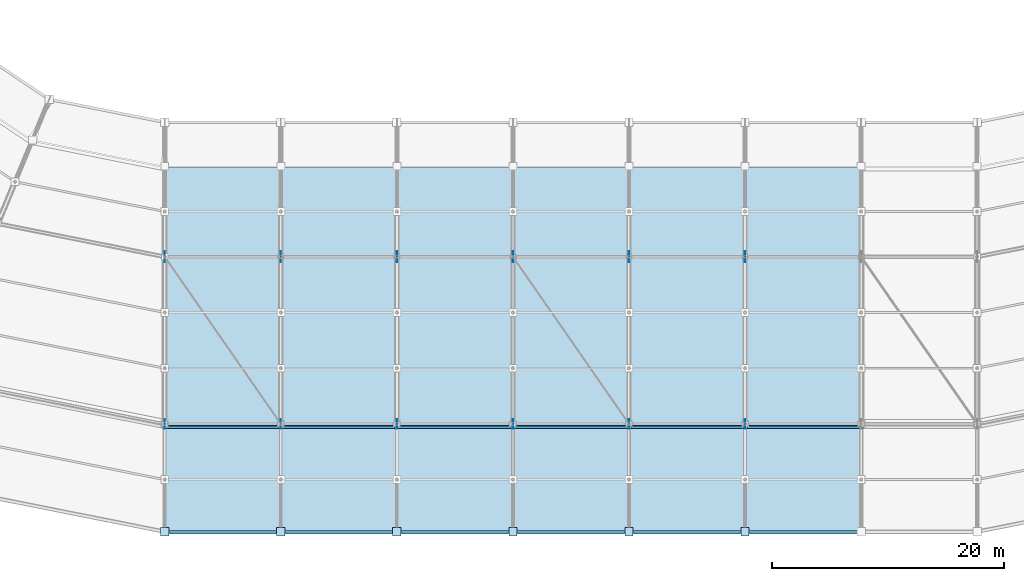
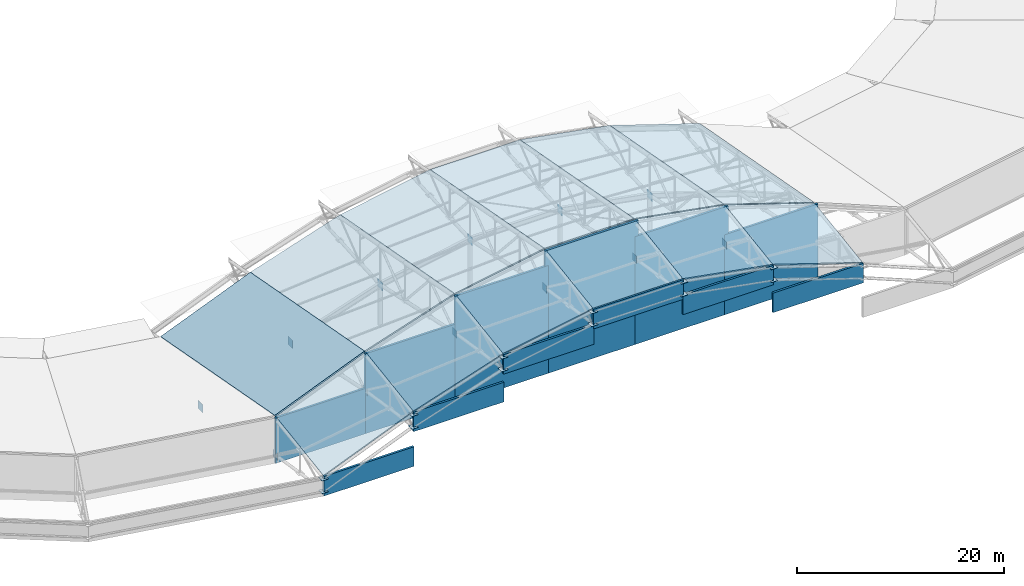
# One storey, part 106 of 146: 36 plates, 12 slabs.
"""IFC4 building model written with IfcOpenShell, lengths in metres."""

from ifc_helpers import new_model, si_unit, direction, frame, origin, origin_2d, place, context, subcontext, project, spatial, polyline, rectangle, outline, extrude, material, layer, layer_set, type_object, element, save


model = new_model("IFC4")

# Units and contexts
model_context = context("Model", 3, precision=1e-05, world=origin(), true_north=direction((0.0, 1.0)))
body_context = subcontext(model_context, "Body", "Model", "MODEL_VIEW")
ifc_project = project(units=[si_unit("LENGTHUNIT", "METRE"), si_unit("AREAUNIT", "SQUARE_METRE"), si_unit("VOLUMEUNIT", "CUBIC_METRE"), si_unit("PLANEANGLEUNIT", "RADIAN"), si_unit("MASSUNIT", "GRAM", prefix="KILO")], contexts=[model_context])

# Site, building, storey
site_placement = place(None, origin())
site = spatial("IfcSite", under=ifc_project, at=site_placement, CompositionType="ELEMENT")
building_placement = place(site_placement, origin())
building = spatial("IfcBuilding", under=site, at=building_placement, Name="Candeia Ridge Stadium", CompositionType="ELEMENT")
storey_placement = place(building_placement, frame((0.0, 0.0, 31.800048828125)))
storey = spatial("IfcBuildingStorey", under=building, at=storey_placement, Name="RF", CompositionType="ELEMENT", Elevation=31.800048828125)

# Plates
ifc_material_1 = material(Name="Aluminium Anodized Warm Bronze", Category="aluminium")
ifc_layer_1 = layer(ifc_material_1, 0.239990234375, Name="Aluminium Anodized Warm Bronze", Category="aluminium")
ifc_layer_set_1 = layer_set([ifc_layer_1], Name="Aluminium Anodized Warm Bronze")
plate_type_1 = type_object("IfcPlateType", Name="Crown Perforated Bronze Acoustic Screen", PredefinedType="SHEET", material=ifc_layer_set_1)
plate_1_placement = place(storey_placement, frame((76.0, 18.719970703125, -0.3251953125), z_axis=(0.0, 0.0, 1.0), x_axis=(1.0, 0.0, 0.0)))
element("IfcPlate", 1, at=plate_1_placement, inside=storey, type_object=plate_type_1, Name="Crown perforated bronze acoustic screen RF bay 19", PredefinedType="SHEET", context=body_context, shape_type="SweptSolid", body=[
    extrude(rectangle(XDim=10.39990234375, YDim=0.239990234375, at=origin_2d()), origin(), (0.0, 0.0, 1.0), 5.330078125),
])
plate_2_placement = place(storey_placement, frame((76.0, 9.699951171875, 1.25), z_axis=(0.0, 0.0, 1.0), x_axis=(1.0, 0.0, 0.0)))
element("IfcPlate", 2, at=plate_2_placement, inside=storey, type_object=plate_type_1, Name="Saddle roof outer eaves warm-bronze fascia bay 19", PredefinedType="SHEET", context=body_context, shape_type="SweptSolid", body=[
    extrude(rectangle(XDim=10.06005859375, YDim=0.239990234375, at=origin_2d()), origin(), (0.0, 0.0, 1.0), 2.300048828125),
])
plate_3_placement = place(storey_placement, frame((86.0, 18.719970703125, -0.3251953125), z_axis=(0.0, 0.0, 1.0), x_axis=(1.0, 0.0, 0.0)))
element("IfcPlate", 3, at=plate_3_placement, inside=storey, type_object=plate_type_1, Name="Crown perforated bronze acoustic screen RF bay 20", PredefinedType="SHEET", context=body_context, shape_type="SweptSolid", body=[
    extrude(rectangle(XDim=10.39990234375, YDim=0.239990234375, at=origin_2d()), origin(), (0.0, 0.0, 1.0), 9.408447265625),
])
plate_4_placement = place(storey_placement, frame((86.0, 9.699951171875, 5.32861328125), z_axis=(0.0, 0.0, 1.0), x_axis=(1.0, 0.0, 0.0)))
element("IfcPlate", 4, at=plate_4_placement, inside=storey, type_object=plate_type_1, Name="Saddle roof outer eaves warm-bronze fascia bay 20", PredefinedType="SHEET", context=body_context, shape_type="SweptSolid", body=[
    extrude(rectangle(XDim=10.06005859375, YDim=0.239990234375, at=origin_2d()), origin(), (0.0, 0.0, 1.0), 2.300048828125),
])
plate_5_placement = place(storey_placement, frame((96.0, 18.719970703125, -0.324951171875), z_axis=(0.0, 0.0, 1.0), x_axis=(1.0, 0.0, 0.0)))
element("IfcPlate", 5, at=plate_5_placement, inside=storey, type_object=plate_type_1, Name="Crown perforated bronze acoustic screen RF bay 21", PredefinedType="SHEET", context=body_context, shape_type="SweptSolid", body=[
    extrude(rectangle(XDim=10.39990234375, YDim=0.239990234375, at=origin_2d()), origin(), (0.0, 0.0, 1.0), 12.67919921875),
])
plate_6_placement = place(storey_placement, frame((96.0, 9.699951171875, 8.59912109375), z_axis=(0.0, 0.0, 1.0), x_axis=(1.0, 0.0, 0.0)))
element("IfcPlate", 6, at=plate_6_placement, inside=storey, type_object=plate_type_1, Name="Saddle roof outer eaves warm-bronze fascia bay 21", PredefinedType="SHEET", context=body_context, shape_type="SweptSolid", body=[
    extrude(rectangle(XDim=10.06005859375, YDim=0.239990234375, at=origin_2d()), origin(), (0.0, 0.0, 1.0), 2.300048828125),
])
plate_7_placement = place(storey_placement, frame((106.0, 18.719970703125, -0.3251953125), z_axis=(0.0, 0.0, 1.0), x_axis=(1.0, 0.0, 0.0)))
element("IfcPlate", 7, at=plate_7_placement, inside=storey, type_object=plate_type_1, Name="Crown perforated bronze acoustic screen RF bay 22", PredefinedType="SHEET", context=body_context, shape_type="SweptSolid", body=[
    extrude(rectangle(XDim=10.39990234375, YDim=0.239990234375, at=origin_2d()), origin(), (0.0, 0.0, 1.0), 14.494384765625),
])
plate_8_placement = place(storey_placement, frame((106.0, 9.699951171875, 10.4140625), z_axis=(0.0, 0.0, 1.0), x_axis=(1.0, 0.0, 0.0)))
element("IfcPlate", 8, at=plate_8_placement, inside=storey, type_object=plate_type_1, Name="Saddle roof outer eaves warm-bronze fascia bay 22", PredefinedType="SHEET", context=body_context, shape_type="SweptSolid", body=[
    extrude(rectangle(XDim=10.06005859375, YDim=0.239990234375, at=origin_2d()), origin(), (0.0, 0.0, 1.0), 2.300048828125),
])
plate_9_placement = place(storey_placement, frame((116.0, 18.719970703125, -0.324951171875), z_axis=(0.0, 0.0, 1.0), x_axis=(1.0, 0.0, 0.0)))
element("IfcPlate", 9, at=plate_9_placement, inside=storey, type_object=plate_type_1, Name="Crown perforated bronze acoustic screen RF bay 23", PredefinedType="SHEET", context=body_context, shape_type="SweptSolid", body=[
    extrude(rectangle(XDim=10.39990234375, YDim=0.239990234375, at=origin_2d()), origin(), (0.0, 0.0, 1.0), 12.67919921875),
])
plate_10_placement = place(storey_placement, frame((116.0, 9.699951171875, 8.59912109375), z_axis=(0.0, 0.0, 1.0), x_axis=(1.0, 0.0, 0.0)))
element("IfcPlate", 10, at=plate_10_placement, inside=storey, type_object=plate_type_1, Name="Saddle roof outer eaves warm-bronze fascia bay 23", PredefinedType="SHEET", context=body_context, shape_type="SweptSolid", body=[
    extrude(rectangle(XDim=10.06005859375, YDim=0.239990234375, at=origin_2d()), origin(), (0.0, 0.0, 1.0), 2.300048828125),
])
plate_11_placement = place(storey_placement, frame((126.0, 18.719970703125, -0.3251953125), z_axis=(0.0, 0.0, 1.0), x_axis=(1.0, 0.0, 0.0)))
element("IfcPlate", 11, at=plate_11_placement, inside=storey, type_object=plate_type_1, Name="Crown perforated bronze acoustic screen RF bay 24", PredefinedType="SHEET", context=body_context, shape_type="SweptSolid", body=[
    extrude(rectangle(XDim=10.39990234375, YDim=0.239990234375, at=origin_2d()), origin(), (0.0, 0.0, 1.0), 9.408447265625),
])
plate_12_placement = place(storey_placement, frame((126.0, 9.699951171875, 5.32861328125), z_axis=(0.0, 0.0, 1.0), x_axis=(1.0, 0.0, 0.0)))
element("IfcPlate", 12, at=plate_12_placement, inside=storey, type_object=plate_type_1, Name="Saddle roof outer eaves warm-bronze fascia bay 24", PredefinedType="SHEET", context=body_context, shape_type="SweptSolid", body=[
    extrude(rectangle(XDim=10.06005859375, YDim=0.239990234375, at=origin_2d()), origin(), (0.0, 0.0, 1.0), 2.300048828125),
])
ifc_material_2 = material(Name="Steel ASTM A572 Grade 50", Category="steel")
ifc_layer_2 = layer(ifc_material_2, 0.02490234375, Name="Steel ASTM A572 Grade 50", Category="steel")
ifc_layer_set_2 = layer_set([ifc_layer_2], Name="Steel ASTM A572 Grade 50")
plate_type_2 = type_object("IfcPlateType", Name="Hollow Section End Closure Plate CP2", PredefinedType="SHEET", material=ifc_layer_set_2)
for number, where, z_axis, x_axis, name in (
    (13, (71.0, 9.699951171875, 3.2685546875), (0.0, 0.0, 1.0), (1.0, 0.0, 0.0), "Hollow section end closure plate TCAP-EAVE-18"),
    (14, (71.0, 9.699951171875, 1.7685546875), (0.0, 0.0, 1.0), (1.0, 0.0, 0.0), "Hollow section end closure plate BCAP-EAVE-18"),
    (15, (81.0, 9.699951171875, 7.346923828125), (0.0, 0.0, 1.0), (1.0, 0.0, 0.0), "Hollow section end closure plate TCAP-EAVE-19"),
    (16, (81.0, 9.699951171875, 5.846923828125), (0.0, 0.0, 1.0), (1.0, 0.0, 0.0), "Hollow section end closure plate BCAP-EAVE-19"),
    (17, (91.0, 9.699951171875, 10.61767578125), (0.0, 0.0, 1.0), (1.0, 0.0, 0.0), "Hollow section end closure plate TCAP-EAVE-20"),
    (18, (91.0, 9.699951171875, 9.11767578125), (0.0, 0.0, 1.0), (1.0, 0.0, 0.0), "Hollow section end closure plate BCAP-EAVE-20"),
    (19, (101.0, 9.699951171875, 12.432861328125), (0.0, 0.0, 1.0), (1.0, 0.0, 0.0), "Hollow section end closure plate TCAP-EAVE-21"),
    (20, (101.0, 9.699951171875, 10.932861328125), (0.0, 0.0, 1.0), (1.0, 0.0, 0.0), "Hollow section end closure plate BCAP-EAVE-21"),
    (21, (111.0, 9.699951171875, 12.432861328125), (0.0, 0.0, 1.0), (1.0, 0.0, 0.0), "Hollow section end closure plate TCAP-EAVE-22"),
    (22, (111.0, 9.699951171875, 10.932861328125), (0.0, 0.0, 1.0), (1.0, 0.0, 0.0), "Hollow section end closure plate BCAP-EAVE-22"),
    (23, (121.0, 9.699951171875, 10.61767578125), (0.0, 0.0, 1.0), (1.0, 0.0, 0.0), "Hollow section end closure plate TCAP-EAVE-23"),
    (24, (121.0, 9.699951171875, 9.11767578125), (0.0, 0.0, 1.0), (1.0, 0.0, 0.0), "Hollow section end closure plate BCAP-EAVE-23"),
):
    element("IfcPlate", number, at=place(storey_placement, frame(where, z_axis=z_axis, x_axis=x_axis)), inside=storey, type_object=plate_type_2, Name=name, PredefinedType="SHEET", context=body_context, shape_type="SweptSolid", body=[
        extrude(rectangle(XDim=0.719970703125, YDim=0.719970703125, at=origin_2d()), origin(), (0.0, 0.0, 1.0), 0.02490234375),
    ])
ifc_layer_3 = layer(ifc_material_2, 0.031982421875, Name="Steel ASTM A572 Grade 50", Category="steel")
ifc_layer_set_3 = layer_set([ifc_layer_3], Name="Steel ASTM A572 Grade 50")
plate_type_3 = type_object("IfcPlateType", Name="Roof Truss Inner Support Node Gusset ND-1", PredefinedType="USERDEFINED", material=ifc_layer_set_3)
for number, where, z_axis, x_axis, name in (
    (25, (71.0, 33.39990234375, -3.13916015625), (0.0, 0.0, 1.0), (0.0, -1.0, 0.0), "Roof truss inner support node ND-1 bay 19"),
    (26, (81.0, 33.39990234375, 0.939453125), (0.0, 0.0, 1.0), (0.0, -1.0, 0.0), "Roof truss inner support node ND-1 bay 20"),
    (27, (91.0, 33.39990234375, 4.2099609375), (0.0, 0.0, 1.0), (0.0, -1.0, 0.0), "Roof truss inner support node ND-1 bay 21"),
    (28, (101.0, 33.39990234375, 6.025390625), (0.0, 0.0, 1.0), (0.0, -1.0, 0.0), "Roof truss inner support node ND-1 bay 22"),
    (29, (111.0, 33.39990234375, 6.025390625), (0.0, 0.0, 1.0), (0.0, -1.0, 0.0), "Roof truss inner support node ND-1 bay 23"),
    (30, (121.0, 33.39990234375, 4.2099609375), (0.0, 0.0, 1.0), (0.0, -1.0, 0.0), "Roof truss inner support node ND-1 bay 24"),
):
    element("IfcPlate", number, at=place(storey_placement, frame(where, z_axis=z_axis, x_axis=x_axis)), inside=storey, type_object=plate_type_3, Name=name, ObjectType="GUSSET PLATE", PredefinedType="USERDEFINED", context=body_context, shape_type="SweptSolid", body=[
        extrude(rectangle(XDim=0.949951171875, YDim=0.031982421875, at=origin_2d()), origin(), (0.0, 0.0, 1.0), 0.949951171875),
    ])
ifc_layer_4 = layer(ifc_material_2, 0.028076171875, Name="Steel ASTM A572 Grade 50", Category="steel")
ifc_layer_set_4 = layer_set([ifc_layer_4], Name="Steel ASTM A572 Grade 50")
plate_type_4 = type_object("IfcPlateType", Name="Roof Truss Outer Tie Node Gusset ND-2", PredefinedType="USERDEFINED", material=ifc_layer_set_4)
for number, where, z_axis, x_axis, name in (
    (31, (71.0, 19.0, -0.025146484375), (0.0, 0.0, 1.0), (0.0, -1.0, 0.0), "Roof truss outer support node ND-2 bay 19"),
    (32, (81.0, 19.0, 4.053466796875), (0.0, 0.0, 1.0), (0.0, -1.0, 0.0), "Roof truss outer support node ND-2 bay 20"),
    (33, (91.0, 19.0, 7.32421875), (0.0, 0.0, 1.0), (0.0, -1.0, 0.0), "Roof truss outer support node ND-2 bay 21"),
    (34, (101.0, 19.0, 9.13916015625), (0.0, 0.0, 1.0), (0.0, -1.0, 0.0), "Roof truss outer support node ND-2 bay 22"),
    (35, (111.0, 19.0, 9.13916015625), (0.0, 0.0, 1.0), (0.0, -1.0, 0.0), "Roof truss outer support node ND-2 bay 23"),
    (36, (121.0, 19.0, 7.32421875), (0.0, 0.0, 1.0), (0.0, -1.0, 0.0), "Roof truss outer support node ND-2 bay 24"),
):
    element("IfcPlate", number, at=place(storey_placement, frame(where, z_axis=z_axis, x_axis=x_axis)), inside=storey, type_object=plate_type_4, Name=name, ObjectType="GUSSET PLATE", PredefinedType="USERDEFINED", context=body_context, shape_type="SweptSolid", body=[
        extrude(rectangle(XDim=0.85009765625, YDim=0.028076171875, at=origin_2d()), origin(), (0.0, 0.0, 1.0), 0.85009765625),
    ])

# Slabs
ifc_layer_5 = layer(ifc_material_2, 0.1650390625, Name="Steel ASTM A572 Grade 50", Category="steel")
ifc_layer_set_5 = layer_set([ifc_layer_5], Name="Steel ASTM A572 Grade 50")
slab_type_1 = type_object("IfcSlabType", Name="Saddle Eaves Roof Deck 165", PredefinedType="ROOF", material=ifc_layer_set_5)
slab_1_placement = place(storey_placement, frame((71.0, 18.919921875, 4.988037109375), z_axis=(-0.373992399417, -0.138068439902, 0.917096936578), x_axis=(0.925965267125, -1.431252e-06, 0.377608691738)))
element("IfcSlab", 37, at=slab_1_placement, inside=storey, type_object=slab_type_1, Name="Stadium saddle roof eave deck bay 19", PredefinedType="ROOF", context=body_context, shape_type="SweptSolid", body=[
    extrude(outline(polyline([(0.0, 0.0), (10.799495927621997, 0.0), (10.275411122620989, -9.309112245357149), (-0.5241769946230158, -9.309143458031738), (0.0, 0.0)])), origin(), (0.0, 0.0, -1.0), 0.1650390625),
])
slab_2_placement = place(storey_placement, frame((81.0, 18.919921875, 9.06591796875), z_axis=(-0.307756371105, -0.141634158589, 0.940864379794), x_axis=(0.950445756952, 0.0, 0.310890435831)))
element("IfcSlab", 38, at=slab_2_placement, inside=storey, type_object=slab_type_1, Name="Stadium saddle roof eave deck bay 20", PredefinedType="ROOF", context=body_context, shape_type="SweptSolid", body=[
    extrude(outline(polyline([(0.0, 0.0), (10.521378970711385, -5.551115123125783e-17), (10.089881869221996, -9.31386310525501), (-0.43149710148939024, -9.313863105255011), (0.0, 0.0)])), origin(), (0.0, 0.0, -1.0), 0.1650390625),
])
slab_3_placement = place(storey_placement, frame((91.0, 18.919921875, 12.3369140625), z_axis=(-0.176649599027, -0.1465180153, 0.97330744904), x_axis=(0.983925976221, 0.0, 0.178576799493)))
element("IfcSlab", 39, at=slab_3_placement, inside=storey, type_object=slab_type_1, Name="Stadium saddle roof eave deck bay 21", PredefinedType="ROOF", context=body_context, shape_type="SweptSolid", body=[
    extrude(outline(polyline([(0.0, 0.0), (10.163366189807427, 0.0), (9.91551240437846, -9.32055814815147), (-0.24785378542896658, -9.32055814815147), (0.0, 0.0)])), origin(), (0.0, 0.0, -1.0), 0.1650390625),
])
slab_4_placement = place(storey_placement, frame((101.0, 18.919921875, 14.15185546875), z_axis=(0.0, -0.148859001287, 0.988858431595), x_axis=(1.0, 0.0, 0.0)))
element("IfcSlab", 40, at=slab_4_placement, inside=storey, type_object=slab_type_1, Name="Stadium saddle roof eave deck bay 22", PredefinedType="ROOF", context=body_context, shape_type="SweptSolid", body=[
    extrude(outline(polyline([(0.0, 0.0), (10.0, 0.0), (10.0, -9.323853049679851), (0.0, -9.323853049679851), (0.0, 0.0)])), origin(), (0.0, 0.0, -1.0), 0.1650390625),
])
slab_5_placement = place(storey_placement, frame((111.0, 18.919921875, 14.15185546875), z_axis=(0.176649599027, -0.1465180153, 0.97330744904), x_axis=(0.983925976221, 0.0, -0.178576799493)))
element("IfcSlab", 41, at=slab_5_placement, inside=storey, type_object=slab_type_1, Name="Stadium saddle roof eave deck bay 23", PredefinedType="ROOF", context=body_context, shape_type="SweptSolid", body=[
    extrude(outline(polyline([(0.0, 0.0), (10.163366189807427, 0.0), (10.411219975236394, -9.32055814815147), (0.24785378542896658, -9.32055814815147), (0.0, 0.0)])), origin(), (0.0, 0.0, -1.0), 0.1650390625),
])
slab_6_placement = place(storey_placement, frame((121.0, 18.919921875, 12.3369140625), z_axis=(0.307756371105, -0.141634158589, 0.940864379794), x_axis=(0.950445756952, 0.0, -0.310890435831)))
element("IfcSlab", 42, at=slab_6_placement, inside=storey, type_object=slab_type_1, Name="Stadium saddle roof eave deck bay 24", PredefinedType="ROOF", context=body_context, shape_type="SweptSolid", body=[
    extrude(outline(polyline([(0.0, 0.0), (10.521378970711385, 5.551115123125783e-17), (10.952876072200775, -9.313863105255011), (0.43149710148939024, -9.313863105255011), (0.0, 0.0)])), origin(), (0.0, 0.0, -1.0), 0.1650390625),
])
ifc_layer_6 = layer(ifc_material_2, 0.179931640625, Name="Steel ASTM A572 Grade 50", Category="steel")
ifc_layer_set_6 = layer_set([ifc_layer_6], Name="Steel ASTM A572 Grade 50")
slab_type_2 = type_object("IfcSlabType", Name="Saddle Roof Structural Deck 180", PredefinedType="ROOF", material=ifc_layer_set_6)
slab_7_placement = place(storey_placement, frame((71.0, 41.10009765625, 0.911865234375), z_axis=(-0.372196349749, 0.168854327054, 0.912665378695), x_axis=(0.925961239527, 0.0, 0.377618567994)))
element("IfcSlab", 43, at=slab_7_placement, inside=storey, type_object=slab_type_2, Name="Stadium saddle roof main deck bay 19", PredefinedType="ROOF", context=body_context, shape_type="SweptSolid", body=[
    extrude(outline(polyline([(0.0, 0.0), (10.799588117869359, 0.0), (12.337996575907406, -22.340810833331464), (1.5384084580380482, -22.340810833331467), (0.0, 0.0)])), origin(), (0.0, 0.0, -1.0), 0.179931640625),
])
slab_8_placement = place(storey_placement, frame((81.0, 41.10009765625, 4.989990234375), z_axis=(-0.306194760531, 0.173146705069, 0.936090266559), x_axis=(0.950445756952, 0.0, 0.310890435831)))
element("IfcSlab", 44, at=slab_8_placement, inside=storey, type_object=slab_type_2, Name="Stadium saddle roof main deck bay 20", PredefinedType="ROOF", context=body_context, shape_type="SweptSolid", body=[
    extrude(outline(polyline([(0.0, 0.0), (10.521378970711385, 0.0), (11.787635108644103, -22.35770937819049), (1.2662561379327173, -22.357709378190485), (0.0, 0.0)])), origin(), (0.0, 0.0, -1.0), 0.179931640625),
])
slab_9_placement = place(storey_placement, frame((91.0, 41.10009765625, 8.260986328125), z_axis=(-0.175689525775, 0.179095172622, 0.968017618474), x_axis=(0.983925976221, 0.0, 0.178576799493)))
element("IfcSlab", 45, at=slab_9_placement, inside=storey, type_object=slab_type_2, Name="Stadium saddle roof main deck bay 21", PredefinedType="ROOF", context=body_context, shape_type="SweptSolid", body=[
    extrude(outline(polyline([(0.0, 0.0), (10.163366189807427, 0.0), (10.890883536764887, -22.381895535998282), (0.7275173469574608, -22.381895535998282), (0.0, 0.0)])), origin(), (0.0, 0.0, -1.0), 0.179931640625),
])
slab_10_placement = place(storey_placement, frame((101.0, 41.10009765625, 10.075927734375), z_axis=(0.0, 0.181924900567, 0.983312427743), x_axis=(1.0, 0.0, 0.0)))
element("IfcSlab", 46, at=slab_10_placement, inside=storey, type_object=slab_type_2, Name="Stadium saddle roof main deck bay 22", PredefinedType="ROOF", context=body_context, shape_type="SweptSolid", body=[
    extrude(outline(polyline([(0.0, 0.0), (10.0, 0.0), (10.0, -22.393716289943118), (0.0, -22.393716289943118), (0.0, 0.0)])), origin(), (0.0, 0.0, -1.0), 0.179931640625),
])
slab_11_placement = place(storey_placement, frame((111.0, 41.10009765625, 10.075927734375), z_axis=(0.175690876442, 0.179053618675, 0.968025060406), x_axis=(0.983925976221, 0.0, -0.178576799493)))
element("IfcSlab", 47, at=slab_11_placement, inside=storey, type_object=slab_type_2, Name="Stadium saddle roof main deck bay 23", PredefinedType="ROOF", context=body_context, shape_type="SweptSolid", body=[
    extrude(outline(polyline([(0.0, 0.0), (10.163366189807427, 0.0), (9.436023234255721, -22.38172346964122), (-0.7273429555517061, -22.38172346964122), (0.0, 0.0)])), origin(), (0.0, 0.0, -1.0), 0.179931640625),
])
slab_12_placement = place(storey_placement, frame((121.0, 41.10009765625, 8.260986328125), z_axis=(0.306192559332, 0.173186974564, 0.936083537112), x_axis=(0.950445756952, 0.0, -0.310890435831)))
element("IfcSlab", 48, at=slab_12_placement, inside=storey, type_object=slab_type_2, Name="Stadium saddle roof main deck bay 24", PredefinedType="ROOF", context=body_context, shape_type="SweptSolid", body=[
    extrude(outline(polyline([(0.0, 0.0), (10.521378970711385, 0.0), (9.254819228837427, -22.357870106401638), (-1.2665597418739587, -22.357870106401638), (0.0, 0.0)])), origin(), (0.0, 0.0, -1.0), 0.179931640625),
])

save(model, "model.ifc")
